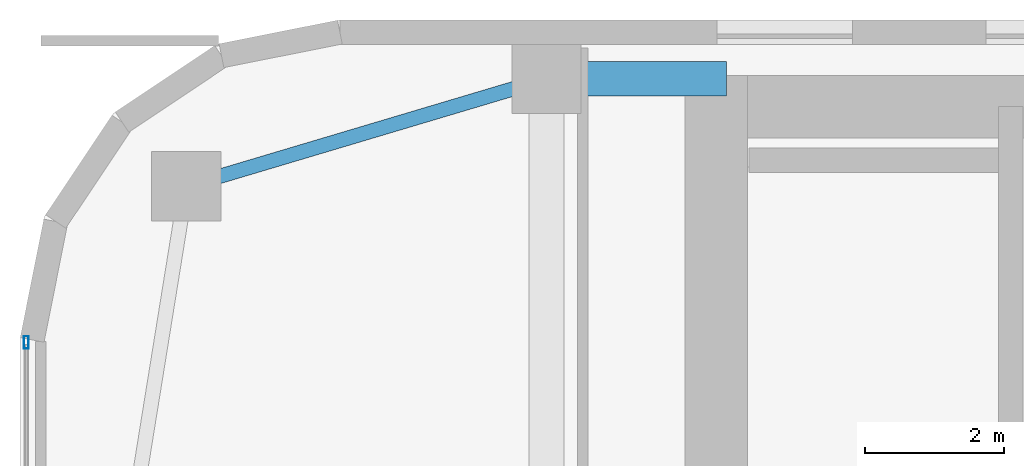
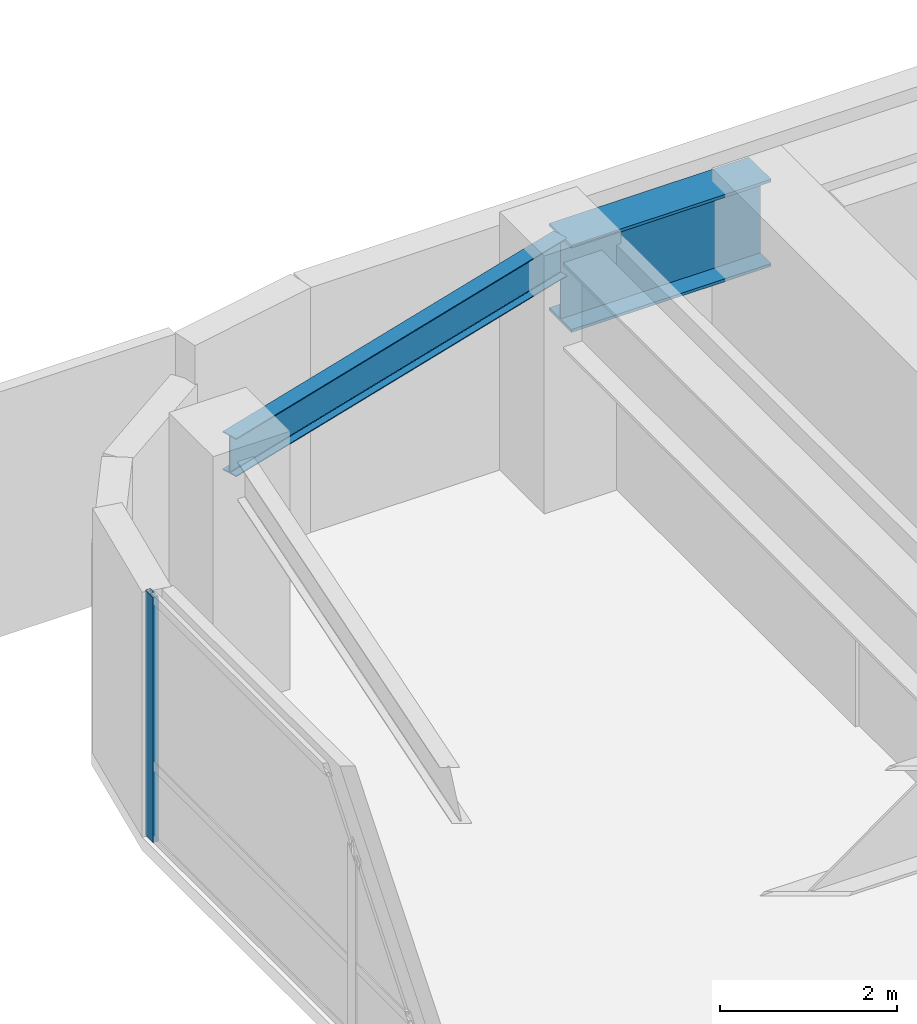
# One storey, part 21 of 30: 2 beams, 1 member, 1 element without a shape of its own.
"""IFC4 building model written with IfcOpenShell, lengths in metres."""

from ifc_helpers import new_model, si_unit, direction, frame, origin, origin_2d, place, context, subcontext, project, spatial, hollow_rectangle, i_section, extrude, source, transform, mapped, material, layer, layer_set, material_profile, profile_set, type_object, type_shapes, element, aggregate, save


model = new_model("IFC4")

# Units and contexts
model_context = context("Model", 3, precision=1e-05, world=origin(), true_north=direction((0.0, 1.0)))
body_context = subcontext(model_context, "Body", "Model", "MODEL_VIEW")
ifc_project = project(units=[si_unit("LENGTHUNIT", "METRE"), si_unit("AREAUNIT", "SQUARE_METRE"), si_unit("VOLUMEUNIT", "CUBIC_METRE"), si_unit("PLANEANGLEUNIT", "RADIAN"), si_unit("MASSUNIT", "GRAM", prefix="KILO")], contexts=[model_context])

# Site, building, storey
site_placement = place(None, origin())
site = spatial("IfcSite", under=ifc_project, at=site_placement, CompositionType="ELEMENT")
building_placement = place(site_placement, origin())
building = spatial("IfcBuilding", under=site, at=building_placement, Name="Tolvann Quenvar Hotel", CompositionType="ELEMENT")
storey_placement = place(building_placement, frame((0.0, 0.0, 56.85009765625)))
storey = spatial("IfcBuildingStorey", under=building, at=storey_placement, Name="L13", CompositionType="ELEMENT", Elevation=56.85009765625)

# Beams
ifc_material_1 = material(Name="Steel Grade 350", Category="steel")
ifc_material_profile_1 = material_profile(ifc_material_1, i_section(OverallWidth=0.208984375, OverallDepth=0.528076171875, WebThickness=0.009521484375, FlangeThickness=0.01318359375, FilletRadius=0.013916015625, at=origin_2d()), Name="530UB82")
ifc_profile_set_1 = profile_set([ifc_material_profile_1], Name="Steel Grade 350")
beam_type_1 = type_object("IfcBeamType", Name="BM_SPAND_530UB82", PredefinedType="SPANDREL", material=ifc_profile_set_1)
shared_shape_1 = source(origin(), body_context, "Body", "SweptSolid", [
    extrude(i_section(OverallWidth=0.208984375, OverallDepth=0.528076171875, WebThickness=0.009521484375, FlangeThickness=0.01318359375, FilletRadius=0.013916015625, at=origin_2d()), origin(), (0.0, 0.0, 1.0), 5.42626953125),
])
type_shapes(beam_type_1, [shared_shape_1])
beam_1_placement = place(storey_placement, frame((2.39990234375, 43.60009765625, 3.10595703125), z_axis=(0.958344815522, 0.285613750654, 0.0), x_axis=(-0.285613750654, 0.958344815522, 0.0)))
element("IfcBeam", 1, at=beam_1_placement, inside=storey, type_object=beam_type_1, Name="BM-L13-FLK-W3", PredefinedType="SPANDREL", context=body_context, shape_type="MappedRepresentation", body=[
    mapped(shared_shape_1, transform((0.0, 0.0, 0.0), x_axis=(1.0, 0.0, 0.0), y_axis=(0.0, 1.0, 0.0), z_axis=(0.0, 0.0, 1.0), scale=1.0)),
])
ifc_material_profile_2 = material_profile(ifc_material_1, i_section(OverallWidth=0.5, OverallDepth=1.199951171875, WebThickness=0.01611328125, FlangeThickness=0.0400390625, at=origin_2d()), Name="1200WB455")
ifc_profile_set_2 = profile_set([ifc_material_profile_2], Name="Steel Grade 350")
beam_type_2 = type_object("IfcBeamType", Name="BM_TG_1200WB455", PredefinedType="USERDEFINED", material=ifc_profile_set_2)
shared_shape_2 = source(origin(), body_context, "Body", "SweptSolid", [
    extrude(i_section(OverallWidth=0.5, OverallDepth=1.199951171875, WebThickness=0.01611328125, FlangeThickness=0.0400390625, at=origin_2d()), origin(), (0.0, 0.0, 1.0), 2.599853515625),
])
type_shapes(beam_type_2, [shared_shape_2])
beam_2_placement = place(storey_placement, frame((7.60009765625, 45.14990234375, 2.77001953125), z_axis=(1.0, 0.0, 0.0), x_axis=(0.0, 1.0, 0.0)))
element("IfcBeam", 2, at=beam_2_placement, inside=storey, type_object=beam_type_2, Name="BM-L13-CTW-CN", ObjectType="TRANSFER GIRDER", PredefinedType="USERDEFINED", context=body_context, shape_type="MappedRepresentation", body=[
    mapped(shared_shape_2, transform((0.0, 0.0, 0.0), x_axis=(1.0, 0.0, 0.0), y_axis=(0.0, 1.0, 0.0), z_axis=(0.0, 0.0, 1.0), scale=1.0)),
])

# Curtain wall, member
ifc_material_2 = material(Name="Thermally broken anodised architectural aluminium 6063-T6 and laminated low-E glass", Category="aluminium")
ifc_layer = layer(ifc_material_2, 0.179931640625)
ifc_layer_set = layer_set([ifc_layer], Name="Thermally broken anodised architectural aluminium 6063-T6 and laminated low-E glass")
curtain_wall_type = type_object("IfcCurtainWallType", Name="CW_SYS_BAND_04", PredefinedType="USERDEFINED", material=ifc_layer_set)
curtain_wall_placement = place(storey_placement, origin())
curtain_wall = element("IfcCurtainWall", 3, at=curtain_wall_placement, inside=storey, type_object=curtain_wall_type, Name="Curtain Wall CW-BAND-04 (CWR-L13-E23)", ObjectType="UNITISED CURTAIN WALL", PredefinedType="USERDEFINED")
ifc_material_3 = material(Name="Anodised architectural aluminium 6063-T6 framing", Category="aluminium")
ifc_material_profile_3 = material_profile(ifc_material_3, hollow_rectangle(XDim=0.070068359375, YDim=0.179931640625, WallThickness=0.00390625, at=origin_2d()), Name="180x70x4RHS")
ifc_profile_set_3 = profile_set([ifc_material_profile_3], Name="Anodised architectural aluminium 6063-T6 framing")
member_type = type_object("IfcMemberType", Name="CW_MULL_180x70", PredefinedType="MULLION", material=ifc_profile_set_3)
shared_shape_3 = source(origin(), body_context, "Body", "SweptSolid", [
    extrude(hollow_rectangle(XDim=0.070068359375, YDim=0.179931640625, WallThickness=0.00390625, at=origin_2d()), origin(), (0.0, 0.0, 1.0), 3.369873046875),
])
type_shapes(member_type, [shared_shape_3])
member_placement = place(storey_placement, frame((0.090087890625, 41.347900390625, 0.0), z_axis=(0.0, 0.0, 1.0), x_axis=(1.0, 0.0, 0.0)))
member = element("IfcMember", 4, at=member_placement, type_object=member_type, Name="CW-BAND-04 mullion 1", PredefinedType="MULLION", context=body_context, shape_type="MappedRepresentation", body=[
    mapped(shared_shape_3, transform((0.0, 0.0, 0.0), x_axis=(1.0, 0.0, 0.0), y_axis=(0.0, 1.0, 0.0), z_axis=(0.0, 0.0, 1.0), scale=1.0)),
])
aggregate(curtain_wall, [member])

save(model, "model.ifc")
